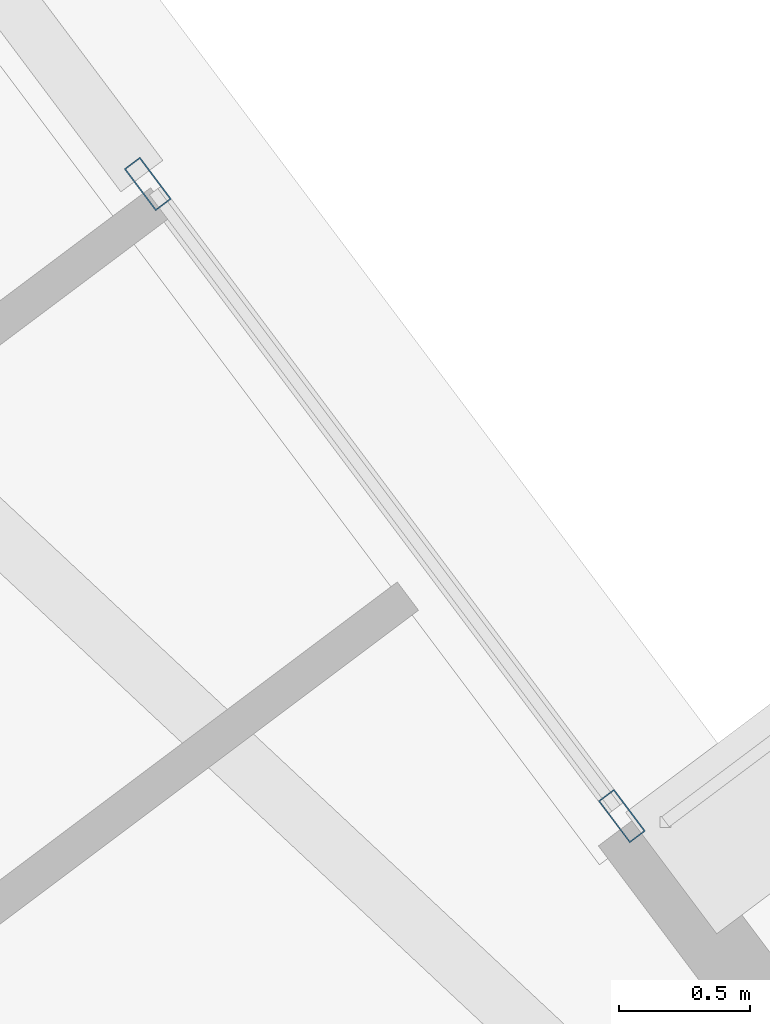
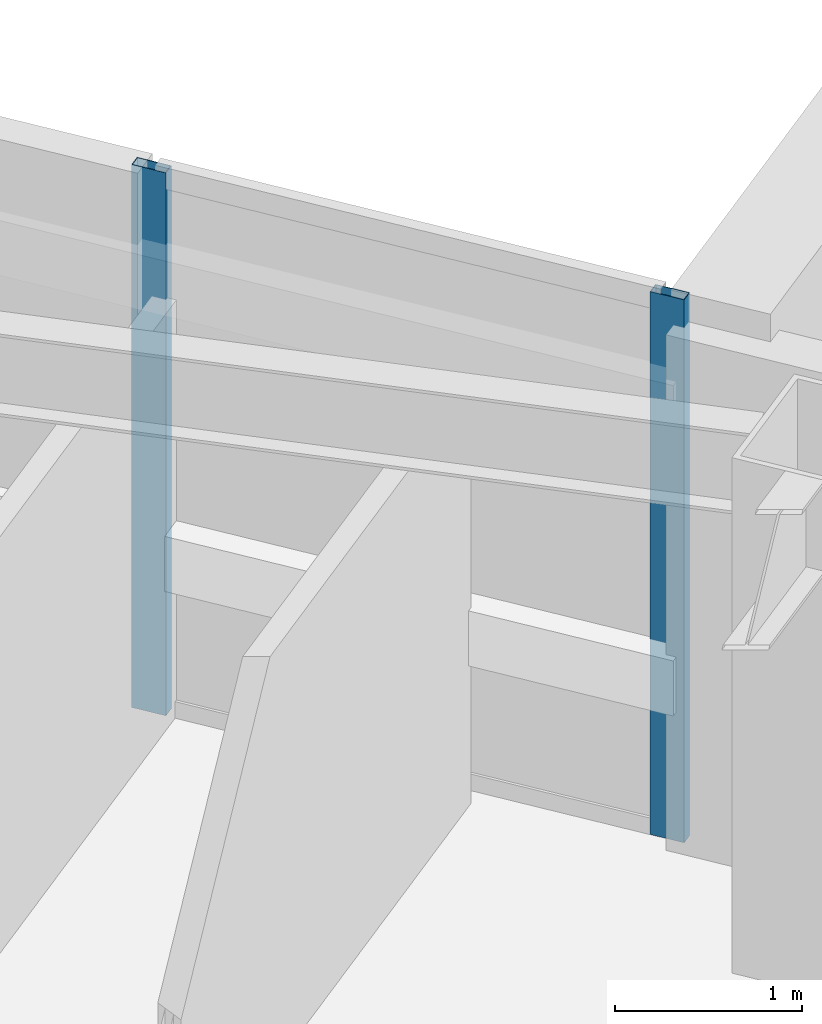
# One storey, part 31 of 44: 2 members, 1 element without a shape of its own.
"""IFC4 building model written with IfcOpenShell, lengths in metres."""

from ifc_helpers import new_model, si_unit, direction, frame, origin, origin_2d, place, context, subcontext, project, spatial, hollow_rectangle, extrude, material, material_profile, profile_set, type_object, element, aggregate, save


model = new_model("IFC4")

# Units and contexts
model_context = context("Model", 3, precision=1e-05, world=origin(), true_north=direction((0.0, 1.0)))
body_context = subcontext(model_context, "Body", "Model", "MODEL_VIEW")
ifc_project = project(units=[si_unit("LENGTHUNIT", "METRE"), si_unit("AREAUNIT", "SQUARE_METRE"), si_unit("VOLUMEUNIT", "CUBIC_METRE"), si_unit("PLANEANGLEUNIT", "RADIAN"), si_unit("MASSUNIT", "GRAM", prefix="KILO")], contexts=[model_context])

# Site, building, storey
site_placement = place(None, origin())
site = spatial("IfcSite", under=ifc_project, at=site_placement, CompositionType="ELEMENT")
building_placement = place(site_placement, origin())
building = spatial("IfcBuilding", under=site, at=building_placement, Name="Tashvorn Skyway Center", CompositionType="ELEMENT")
storey_placement = place(building_placement, frame((0.0, 0.0, 149.89990234375)))
storey = spatial("IfcBuildingStorey", under=building, at=storey_placement, Name="L40", CompositionType="ELEMENT", Elevation=149.89990234375)

# Curtain wall, members
ifc_material = material(Name="Thermally broken bronze-anodized aluminium 6063-T6", Category="aluminium")
curtain_wall_type = type_object("IfcCurtainWallType", Name="CW-CW-Z3", PredefinedType="NOTDEFINED", material=ifc_material)
curtain_wall_placement = place(storey_placement, origin())
curtain_wall = element("IfcCurtainWall", 1, at=curtain_wall_placement, inside=storey, type_object=curtain_wall_type, Name="Tower 2 L40 East Curtain Wall L Glazing Group 1", PredefinedType="NOTDEFINED")
ifc_material_profile = material_profile(ifc_material, hollow_rectangle(XDim=0.074951171875, YDim=0.199951171875, WallThickness=0.00439453125, at=origin_2d()), Name="ALU-MULL-75x200")
ifc_profile_set = profile_set([ifc_material_profile], Name="Thermally broken bronze-anodized aluminium 6063-T6")
member_type = type_object("IfcMemberType", Name="CWM-CW-Z3", PredefinedType="MULLION", material=ifc_profile_set)
member_1_placement = place(storey_placement, frame((122.83056640625, 50.692626953125, 0.0), z_axis=(0.0, 0.0, 1.0), x_axis=(0.800003879262, 0.599994827616, 0.0)))
member_1 = element("IfcMember", 2, at=member_1_placement, type_object=member_type, Name="CW-Z3 mullion 1", PredefinedType="MULLION", context=body_context, shape_type="SweptSolid", body=[
    extrude(hollow_rectangle(XDim=0.074951171875, YDim=0.199951171875, WallThickness=0.00439453125, at=origin_2d()), origin(), (0.0, 0.0, 1.0), 3.550048828125),
])
member_2_placement = place(storey_placement, frame((124.6416015625, 48.278076171875, 0.0), z_axis=(0.0, 0.0, 1.0), x_axis=(0.800003879262, 0.599994827616, 0.0)))
member_2 = element("IfcMember", 3, at=member_2_placement, type_object=member_type, Name="CW-Z3 mullion 2", PredefinedType="MULLION", context=body_context, shape_type="SweptSolid", body=[
    extrude(hollow_rectangle(XDim=0.074951171875, YDim=0.199951171875, WallThickness=0.00439453125, at=origin_2d()), origin(), (0.0, 0.0, 1.0), 3.550048828125),
])
aggregate(curtain_wall, [member_1, member_2])

save(model, "model.ifc")
